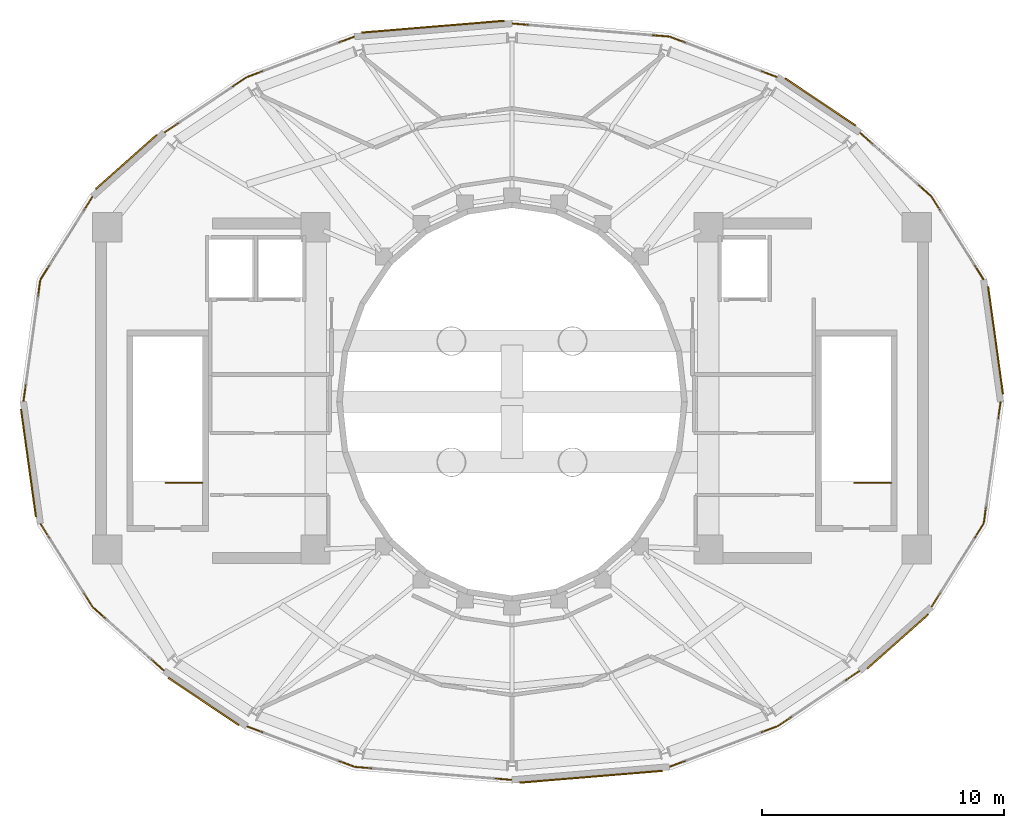
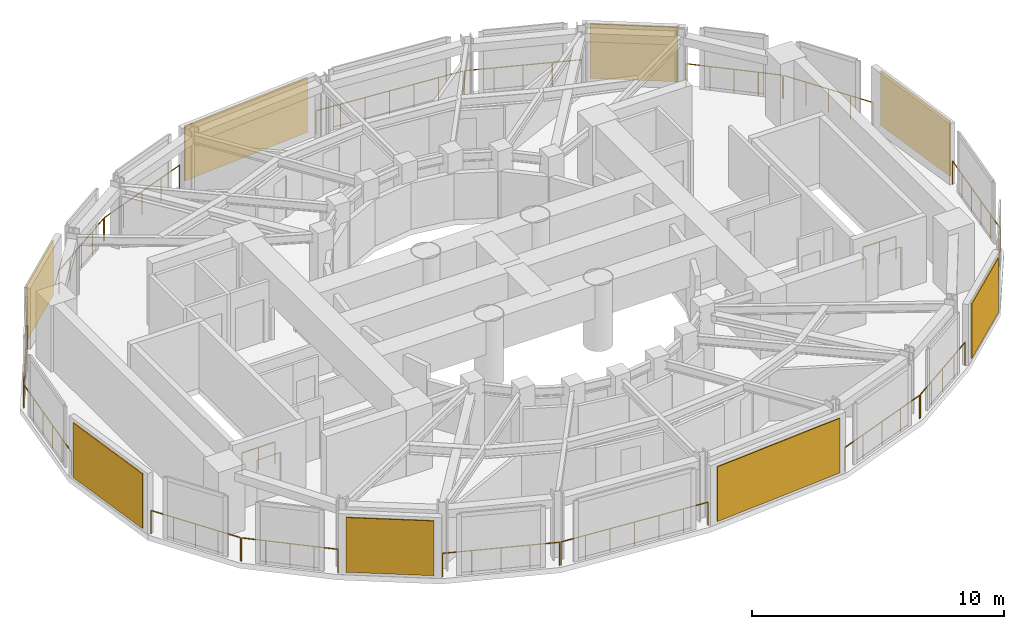
# One storey, part 17 of 17: 18 railings, 8 shading devices.
"""IFC4 building model written with IfcOpenShell, lengths in metres."""

import ifcopenshell
import ifcopenshell.guid

model = None  # the IFC model being written
_history = None  # IfcOwnerHistory: only IFC2X3 demands one
_inside = {}  # id of a spatial element -> (the spatial element, [elements in it])
_under = {}  # id of a project, library or spatial element -> (it, [spatial elements below it])
_declared = {}  # id of a project -> (the project, [libraries it declares])
_typed = {}  # id of a type object -> (the type object, [elements of that type])
_made_of = {}  # id of a material, layer set ... -> (it, [elements and type objects made of it])


def new_model(schema):
    """Start an empty IFC model of exactly this schema.

    Asked for "IFC4X3", IfcOpenShell would pick the latest addendum, in which some entities
    have other attributes; the version numbers below select the first issue.
    IFC2X3 requires an IfcOwnerHistory on every rooted entity: one is made here for all.
    """
    global model, _history
    if schema == "IFC4X3":
        model = ifcopenshell.file(schema_version=(4, 3, 0, 0))
    else:
        model = ifcopenshell.file(schema=schema)
    _inside.clear()
    _under.clear()
    _declared.clear()
    _typed.clear()
    _made_of.clear()
    _history = None
    if model.schema == "IFC2X3":
        org = make("IfcOrganization", Name="unknown")
        user = make(
            "IfcPersonAndOrganization",
            ThePerson=make("IfcPerson", FamilyName="unknown"),
            TheOrganization=org,
        )
        app = make(
            "IfcApplication",
            ApplicationDeveloper=org,
            Version="unknown",
            ApplicationFullName="unknown",
            ApplicationIdentifier="unknown",
        )
        _history = make(
            "IfcOwnerHistory",
            OwningUser=user,
            OwningApplication=app,
            ChangeAction="ADDED",
            CreationDate=0,
        )
    return model


def make(cls, **values):
    """One entity of the class cls with the attributes given. An attribute that is None is left unset."""
    return model.create_entity(
        cls, **{name: value for name, value in values.items() if value is not None}
    )


def rooted(cls, **values):
    """An entity with a GlobalId (a new one), such as an element, a storey or a relation."""
    return make(cls, GlobalId=ifcopenshell.guid.new(), OwnerHistory=_history, **values)


def si_unit(unit_type, name, prefix=None):
    """IfcSIUnit, for example si_unit("LENGTHUNIT", "METRE", prefix="MILLI")."""
    return make("IfcSIUnit", UnitType=unit_type, Prefix=prefix, Name=name)


def assignment(units):
    """IfcUnitAssignment: the units of a project."""
    return None if units is None else make("IfcUnitAssignment", Units=units)


def point(xyz):
    """IfcCartesianPoint."""
    return None if xyz is None else make("IfcCartesianPoint", Coordinates=xyz)


def direction(xyz):
    """IfcDirection."""
    return None if xyz is None else make("IfcDirection", DirectionRatios=xyz)


def frame(location, z_axis=None, x_axis=None):
    """IfcAxis2Placement3D, a coordinate frame: its origin and axes. An axis left out is left unset."""
    return make(
        "IfcAxis2Placement3D",
        Location=point(location),
        Axis=direction(z_axis),
        RefDirection=direction(x_axis),
    )


def frame_2d(location, x_axis=None):
    """IfcAxis2Placement2D, a coordinate frame in the plane: its origin and x axis."""
    return make(
        "IfcAxis2Placement2D", Location=point(location), RefDirection=direction(x_axis)
    )


def origin():
    """The frame at (0, 0, 0) with its axes left unset."""
    return frame((0.0, 0.0, 0.0))


def origin_2d():
    """The frame at (0, 0) in the plane with its x axis left unset."""
    return frame_2d((0.0, 0.0))


def place(relative_to, where):
    """IfcLocalPlacement: puts the frame where relative to a parent placement (None: the world)."""
    return make(
        "IfcLocalPlacement", PlacementRelTo=relative_to, RelativePlacement=where
    )


def context(
    kind, dimensions, precision=None, world=None, true_north=None, identifier=None
):
    """IfcGeometricRepresentationContext, for example the 3D "Model" context."""
    return make(
        "IfcGeometricRepresentationContext",
        ContextIdentifier=identifier,
        ContextType=kind,
        CoordinateSpaceDimension=dimensions,
        Precision=precision,
        WorldCoordinateSystem=world,
        TrueNorth=true_north,
    )


def subcontext(parent, identifier, kind, view, scale=None):
    """IfcGeometricRepresentationSubContext, for example "Body" below "Model"."""
    return make(
        "IfcGeometricRepresentationSubContext",
        ContextIdentifier=identifier,
        ContextType=kind,
        ParentContext=parent,
        TargetScale=scale,
        TargetView=view,
    )


def project(units=None, contexts=None):
    """IfcProject with its units and contexts."""
    return rooted(
        "IfcProject",
        Name="project",
        RepresentationContexts=contexts,
        UnitsInContext=assignment(units),
    )


def spatial(cls, under=None, at=None, **own):
    """A site, building, storey or space (cls), placed at a placement, below another one or the project."""
    s = rooted(cls, ObjectPlacement=at, **own)
    if under is not None:
        _under.setdefault(under.id(), (under, []))[1].append(s)
    return s


def profile(cls, at=None, kind="AREA", **sizes):
    """A parametric profile (cls). Its sizes go by their IFC names, for example OverallWidth=200.0."""
    return make(cls, ProfileType=kind, Position=at, **sizes)


def rectangle(**sizes):
    """IfcRectangleProfileDef."""
    return profile("IfcRectangleProfileDef", **sizes)


def circle(**sizes):
    """IfcCircleProfileDef."""
    return profile("IfcCircleProfileDef", **sizes)


def extrude(swept, where, along, depth):
    """IfcExtrudedAreaSolid: the profile swept, set in the frame where, extruded along a direction by depth."""
    return make(
        "IfcExtrudedAreaSolid",
        SweptArea=swept,
        Position=where,
        ExtrudedDirection=direction(along),
        Depth=depth,
    )


def shape(context_of_items, identifier, shape_type, items):
    """IfcShapeRepresentation: the items that make up one representation, for example the "Body"."""
    return make(
        "IfcShapeRepresentation",
        ContextOfItems=context_of_items,
        RepresentationIdentifier=identifier,
        RepresentationType=shape_type,
        Items=items,
    )


def material(Name=None, Category=None):
    """IfcMaterial."""
    return make("IfcMaterial", Name=Name, Category=Category)


def layer(
    of_material, thickness, ventilated=None, Name=None, Category=None, Priority=None
):
    """IfcMaterialLayer: one layer of a wall or slab, of a material (None: an air gap)."""
    return make(
        "IfcMaterialLayer",
        Material=of_material,
        LayerThickness=thickness,
        IsVentilated=ventilated,
        Name=Name,
        Category=Category,
        Priority=Priority,
    )


def layer_set(layers, Name=None):
    """IfcMaterialLayerSet."""
    return make("IfcMaterialLayerSet", MaterialLayers=layers, LayerSetName=Name)


def made_of(thing, what):
    """Note that an element or type object is made of a material, layer set ...; save() writes the relation."""
    if what is not None:
        _made_of.setdefault(what.id(), (what, []))[1].append(thing)
    return thing


def type_object(cls, material=None, **own):
    """A type object (cls), such as IfcWallType, which elements share."""
    return made_of(rooted(cls, **own), material)


def element(
    cls,
    number,
    at=None,
    inside=None,
    cuts=None,
    type_object=None,
    material=None,
    context=None,
    identifier="Body",
    shape_type=None,
    held_by="IfcProductDefinitionShape",
    body=None,
    shapes=None,
    **own,
):
    """One element of the class cls, such as IfcWall. Its Tag is "e" and its number.

    at: its placement. inside: the storey or other place that contains it. cuts: it is an
    opening in that element (IfcRelVoidsElement). A single representation is given by context,
    identifier, shape_type and body (its items); several are given by shapes. held_by: the class
    of the entity that holds the representations. save() writes the other relations.
    """
    e = rooted(cls, Tag="e%d" % number, ObjectPlacement=at, **own)
    if body is not None:
        shapes = [shape(context, identifier, shape_type, body)]
    if shapes is not None:
        e.Representation = make(held_by, Representations=shapes)
    if inside is not None:
        _inside.setdefault(inside.id(), (inside, []))[1].append(e)
    if cuts is not None:
        rooted(
            "IfcRelVoidsElement", RelatingBuildingElement=cuts, RelatedOpeningElement=e
        )
    if type_object is not None:
        _typed.setdefault(type_object.id(), (type_object, []))[1].append(e)
    return made_of(e, material)


def aggregate(whole, parts):
    """IfcRelAggregates: a whole, such as a stair, and the parts it consists of."""
    return rooted("IfcRelAggregates", RelatingObject=whole, RelatedObjects=parts)


def save(model, path):
    """Write the relations noted so far, then the file.

    IfcRelAggregates (storeys below a building ...), IfcRelContainedInSpatialStructure (elements
    in a storey), IfcRelDefinesByType, IfcRelAssociatesMaterial and IfcRelDeclares: one each for
    every whole, place, type object, material and project.
    """
    for whole, parts in _under.values():
        aggregate(whole, parts)
    for where, things in _inside.values():
        rooted(
            "IfcRelContainedInSpatialStructure",
            RelatedElements=things,
            RelatingStructure=where,
        )
    for kind, things in _typed.values():
        rooted("IfcRelDefinesByType", RelatedObjects=things, RelatingType=kind)
    for what, things in _made_of.values():
        rooted("IfcRelAssociatesMaterial", RelatedObjects=things, RelatingMaterial=what)
    for by, libraries in _declared.values():
        rooted("IfcRelDeclares", RelatingContext=by, RelatedDefinitions=libraries)
    model.write(path)


model = new_model("IFC4")

# Units and contexts
model_context = context("Model", 3, precision=1e-05, world=origin(), true_north=direction((0.0, 1.0)))
body_context = subcontext(model_context, "Body", "Model", "MODEL_VIEW")
ifc_project = project(units=[si_unit("LENGTHUNIT", "METRE"), si_unit("AREAUNIT", "SQUARE_METRE"), si_unit("VOLUMEUNIT", "CUBIC_METRE"), si_unit("PLANEANGLEUNIT", "RADIAN"), si_unit("MASSUNIT", "GRAM", prefix="KILO")], contexts=[model_context])

# Site, building, storey
site_placement = place(None, origin())
site = spatial("IfcSite", under=ifc_project, at=site_placement, CompositionType="ELEMENT")
building_placement = place(site_placement, origin())
building = spatial("IfcBuilding", under=site, at=building_placement, Name="Solvane Sanctuary Tower", CompositionType="ELEMENT")
storey_placement = place(building_placement, frame((0.0, 0.0, 276.39990234375)))
storey = spatial("IfcBuildingStorey", under=building, at=storey_placement, Name="L84", CompositionType="ELEMENT", Elevation=276.39990234375)

# Railings
ifc_material_1 = material(Name="Architectural Stainless Steel 316", Category="steel")
railing_type = type_object("IfcRailingType", Name="Railing GR-BALC-1150", PredefinedType="BALUSTRADE", material=ifc_material_1)
railing_1_placement = place(storey_placement, frame((51.447509765625, 28.052978515625, 0.0)))
element("IfcRailing", 1, at=railing_1_placement, inside=storey, type_object=railing_type, Name="L84 Crown Curtain-Wall Sill Guard 01", PredefinedType="BALUSTRADE", context=body_context, shape_type="SweptSolid", body=[
    extrude(circle(Radius=0.02392578125, at=origin_2d()), frame((0.0, 0.0, 1.1259765625), z_axis=(-0.531361656168, 0.847145082235, 0.0), x_axis=(-0.847145082235, -0.531361656168, 0.0)), (0.0, 0.0, 1.0), 4.0078125),
    extrude(circle(Radius=0.02099609375, at=origin_2d()), origin(), (0.0, 0.0, 1.0), 1.101806640625),
    extrude(circle(Radius=0.02099609375, at=origin_2d()), frame((-0.532470703125, 0.848876953125, 0.0)), (0.0, 0.0, 1.0), 1.101806640625),
    extrude(circle(Radius=0.02099609375, at=origin_2d()), frame((-1.06494140625, 1.69775390625, 0.0)), (0.0, 0.0, 1.0), 1.101806640625),
    extrude(circle(Radius=0.02099609375, at=origin_2d()), frame((-1.59716796875, 2.54638671875, 0.0)), (0.0, 0.0, 1.0), 1.101806640625),
    extrude(circle(Radius=0.02099609375, at=origin_2d()), frame((-2.129638671875, 3.395263671875, 0.0)), (0.0, 0.0, 1.0), 1.101806640625),
])
railing_2_placement = place(storey_placement, frame((49.279541015625, 31.49365234375, 0.0)))
element("IfcRailing", 2, at=railing_2_placement, inside=storey, type_object=railing_type, Name="L84 Crown Curtain-Wall Sill Guard 02", PredefinedType="BALUSTRADE", context=body_context, shape_type="SweptSolid", body=[
    extrude(circle(Radius=0.02392578125, at=origin_2d()), frame((0.0, 0.0, 1.1259765625), z_axis=(-0.746596474276, 0.665277163744, 0.0), x_axis=(-0.665277163744, -0.746596474276, 0.0)), (0.0, 0.0, 1.0), 3.89697265625),
    extrude(circle(Radius=0.02099609375, at=origin_2d()), origin(), (0.0, 0.0, 1.0), 1.101806640625),
    extrude(circle(Radius=0.02099609375, at=origin_2d()), frame((-0.727294921875, 0.648193359375, 0.0)), (0.0, 0.0, 1.0), 1.101806640625),
    extrude(circle(Radius=0.02099609375, at=origin_2d()), frame((-1.45458984375, 1.29638671875, 0.0)), (0.0, 0.0, 1.0), 1.101806640625),
    extrude(circle(Radius=0.02099609375, at=origin_2d()), frame((-2.18212890625, 1.9443359375, 0.0)), (0.0, 0.0, 1.0), 1.101806640625),
    extrude(circle(Radius=0.02099609375, at=origin_2d()), frame((-2.909423828125, 2.592529296875, 0.0)), (0.0, 0.0, 1.0), 1.101806640625),
])
railing_3_placement = place(storey_placement, frame((42.9189453125, 36.4033203125, 0.0)))
element("IfcRailing", 3, at=railing_3_placement, inside=storey, type_object=railing_type, Name="L84 Crown Curtain-Wall Sill Guard 04", PredefinedType="BALUSTRADE", context=body_context, shape_type="SweptSolid", body=[
    extrude(circle(Radius=0.02392578125, at=origin_2d()), frame((0.0, 0.0, 1.1259765625), z_axis=(-0.93608108748, 0.351784305593, 0.0), x_axis=(-0.351784305593, -0.93608108748, 0.0)), (0.0, 0.0, 1.0), 4.695556640625),
    extrude(circle(Radius=0.02099609375, at=origin_2d()), origin(), (0.0, 0.0, 1.0), 1.101806640625),
    extrude(circle(Radius=0.02099609375, at=origin_2d()), frame((-1.098876953125, 0.4130859375, 0.0)), (0.0, 0.0, 1.0), 1.101806640625),
    extrude(circle(Radius=0.02099609375, at=origin_2d()), frame((-2.19775390625, 0.825927734375, 0.0)), (0.0, 0.0, 1.0), 1.101806640625),
    extrude(circle(Radius=0.02099609375, at=origin_2d()), frame((-3.296630859375, 1.23876953125, 0.0)), (0.0, 0.0, 1.0), 1.101806640625),
    extrude(circle(Radius=0.02099609375, at=origin_2d()), frame((-4.3955078125, 1.65185546875, 0.0)), (0.0, 0.0, 1.0), 1.101806640625),
])
railing_4_placement = place(storey_placement, frame((38.46533203125, 38.068359375, 0.0)))
element("IfcRailing", 4, at=railing_4_placement, inside=storey, type_object=railing_type, Name="L84 Crown Curtain-Wall Sill Guard 05", PredefinedType="BALUSTRADE", context=body_context, shape_type="SweptSolid", body=[
    extrude(circle(Radius=0.02392578125, at=origin_2d()), frame((0.0, 0.0, 1.1259765625), z_axis=(-0.996572821329, 0.082720080921, 0.0), x_axis=(-0.082720080921, -0.996572821329, 0.0)), (0.0, 0.0, 1.0), 6.457763671875),
    extrude(circle(Radius=0.02099609375, at=origin_2d()), origin(), (0.0, 0.0, 1.0), 1.101806640625),
    extrude(circle(Radius=0.02099609375, at=origin_2d()), frame((-1.072509765625, 0.089111328125, 0.0)), (0.0, 0.0, 1.0), 1.101806640625),
    extrude(circle(Radius=0.02099609375, at=origin_2d()), frame((-2.145263671875, 0.177978515625, 0.0)), (0.0, 0.0, 1.0), 1.101806640625),
    extrude(circle(Radius=0.02099609375, at=origin_2d()), frame((-3.2177734375, 0.26708984375, 0.0)), (0.0, 0.0, 1.0), 1.101806640625),
    extrude(circle(Radius=0.02099609375, at=origin_2d()), frame((-4.290283203125, 0.356201171875, 0.0)), (0.0, 0.0, 1.0), 1.101806640625),
    extrude(circle(Radius=0.02099609375, at=origin_2d()), frame((-5.363037109375, 0.445068359375, 0.0)), (0.0, 0.0, 1.0), 1.101806640625),
    extrude(circle(Radius=0.02099609375, at=origin_2d()), frame((-6.435546875, 0.5341796875, 0.0)), (0.0, 0.0, 1.0), 1.101806640625),
])
railing_5_placement = place(storey_placement, frame((25.4765625, 38.05517578125, 0.0)))
element("IfcRailing", 5, at=railing_5_placement, inside=storey, type_object=railing_type, Name="L84 Crown Curtain-Wall Sill Guard 07", PredefinedType="BALUSTRADE", context=body_context, shape_type="SweptSolid", body=[
    extrude(circle(Radius=0.02392578125, at=origin_2d()), frame((0.0, 0.0, 1.1259765625), z_axis=(-0.93608108748, -0.351784305593, 0.0), x_axis=(0.351784305593, -0.93608108748, 0.0)), (0.0, 0.0, 1.0), 4.695556640625),
    extrude(circle(Radius=0.02099609375, at=origin_2d()), origin(), (0.0, 0.0, 1.0), 1.101806640625),
    extrude(circle(Radius=0.02099609375, at=origin_2d()), frame((-1.098876953125, -0.4130859375, 0.0)), (0.0, 0.0, 1.0), 1.101806640625),
    extrude(circle(Radius=0.02099609375, at=origin_2d()), frame((-2.19775390625, -0.825927734375, 0.0)), (0.0, 0.0, 1.0), 1.101806640625),
    extrude(circle(Radius=0.02099609375, at=origin_2d()), frame((-3.296630859375, -1.23876953125, 0.0)), (0.0, 0.0, 1.0), 1.101806640625),
    extrude(circle(Radius=0.02099609375, at=origin_2d()), frame((-4.3955078125, -1.65185546875, 0.0)), (0.0, 0.0, 1.0), 1.101806640625),
])
railing_6_placement = place(storey_placement, frame((21.028076171875, 36.3759765625, 0.0)))
element("IfcRailing", 6, at=railing_6_placement, inside=storey, type_object=railing_type, Name="L84 Crown Curtain-Wall Sill Guard 08", PredefinedType="BALUSTRADE", context=body_context, shape_type="SweptSolid", body=[
    extrude(circle(Radius=0.02392578125, at=origin_2d()), frame((0.0, 0.0, 1.1259765625), z_axis=(-0.829858014788, -0.55797461886, 0.0), x_axis=(0.55797461886, -0.829858014788, 0.0)), (0.0, 0.0, 1.0), 4.0380859375),
    extrude(circle(Radius=0.02099609375, at=origin_2d()), origin(), (0.0, 0.0, 1.0), 1.101806640625),
    extrude(circle(Radius=0.02099609375, at=origin_2d()), frame((-0.837890625, -0.563232421875, 0.0)), (0.0, 0.0, 1.0), 1.101806640625),
    extrude(circle(Radius=0.02099609375, at=origin_2d()), frame((-1.675537109375, -1.12646484375, 0.0)), (0.0, 0.0, 1.0), 1.101806640625),
    extrude(circle(Radius=0.02099609375, at=origin_2d()), frame((-2.51318359375, -1.68994140625, 0.0)), (0.0, 0.0, 1.0), 1.101806640625),
    extrude(circle(Radius=0.02099609375, at=origin_2d()), frame((-3.35107421875, -2.253173828125, 0.0)), (0.0, 0.0, 1.0), 1.101806640625),
])
railing_7_placement = place(storey_placement, frame((14.68212890625, 31.4482421875, 0.0)))
element("IfcRailing", 7, at=railing_7_placement, inside=storey, type_object=railing_type, Name="L84 Crown Curtain-Wall Sill Guard 10", PredefinedType="BALUSTRADE", context=body_context, shape_type="SweptSolid", body=[
    extrude(circle(Radius=0.02392578125, at=origin_2d()), frame((0.0, 0.0, 1.1259765625), z_axis=(-0.531361656168, -0.847145082235, 0.0), x_axis=(0.847145082235, -0.531361656168, 0.0)), (0.0, 0.0, 1.0), 4.0078125),
    extrude(circle(Radius=0.02099609375, at=origin_2d()), origin(), (0.0, 0.0, 1.0), 1.101806640625),
    extrude(circle(Radius=0.02099609375, at=origin_2d()), frame((-0.532470703125, -0.848876953125, 0.0)), (0.0, 0.0, 1.0), 1.101806640625),
    extrude(circle(Radius=0.02099609375, at=origin_2d()), frame((-1.06494140625, -1.69775390625, 0.0)), (0.0, 0.0, 1.0), 1.101806640625),
    extrude(circle(Radius=0.02099609375, at=origin_2d()), frame((-1.59716796875, -2.54638671875, 0.0)), (0.0, 0.0, 1.0), 1.101806640625),
    extrude(circle(Radius=0.02099609375, at=origin_2d()), frame((-2.129638671875, -3.395263671875, 0.0)), (0.0, 0.0, 1.0), 1.101806640625),
])
railing_8_placement = place(storey_placement, frame((12.532470703125, 27.998046875, 0.0)))
element("IfcRailing", 8, at=railing_8_placement, inside=storey, type_object=railing_type, Name="L84 Crown Curtain-Wall Sill Guard 11", PredefinedType="BALUSTRADE", context=body_context, shape_type="SweptSolid", body=[
    extrude(circle(Radius=0.02392578125, at=origin_2d()), frame((0.0, 0.0, 1.1259765625), z_axis=(-0.137263271388, -0.990534600268, 0.0), x_axis=(0.990534600268, -0.137263271388, 0.0)), (0.0, 0.0, 1.0), 5.015625),
    extrude(circle(Radius=0.02099609375, at=origin_2d()), origin(), (0.0, 0.0, 1.0), 1.101806640625),
    extrude(circle(Radius=0.02099609375, at=origin_2d()), frame((-0.1376953125, -0.99365234375, 0.0)), (0.0, 0.0, 1.0), 1.101806640625),
    extrude(circle(Radius=0.02099609375, at=origin_2d()), frame((-0.275390625, -1.9873046875, 0.0)), (0.0, 0.0, 1.0), 1.101806640625),
    extrude(circle(Radius=0.02099609375, at=origin_2d()), frame((-0.4130859375, -2.98095703125, 0.0)), (0.0, 0.0, 1.0), 1.101806640625),
    extrude(circle(Radius=0.02099609375, at=origin_2d()), frame((-0.55078125, -3.974609375, 0.0)), (0.0, 0.0, 1.0), 1.101806640625),
    extrude(circle(Radius=0.02099609375, at=origin_2d()), frame((-0.6884765625, -4.96826171875, 0.0)), (0.0, 0.0, 1.0), 1.101806640625),
])
railing_9_placement = place(storey_placement, frame((12.552490234375, 17.947021484375, 0.0)))
element("IfcRailing", 9, at=railing_9_placement, inside=storey, type_object=railing_type, Name="L84 Crown Curtain-Wall Sill Guard 13", PredefinedType="BALUSTRADE", context=body_context, shape_type="SweptSolid", body=[
    extrude(circle(Radius=0.02392578125, at=origin_2d()), frame((0.0, 0.0, 1.1259765625), z_axis=(0.531361656168, -0.847145082235, 0.0), x_axis=(0.847145082235, 0.531361656168, 0.0)), (0.0, 0.0, 1.0), 4.0078125),
    extrude(circle(Radius=0.02099609375, at=origin_2d()), origin(), (0.0, 0.0, 1.0), 1.101806640625),
    extrude(circle(Radius=0.02099609375, at=origin_2d()), frame((0.532470703125, -0.848876953125, 0.0)), (0.0, 0.0, 1.0), 1.101806640625),
    extrude(circle(Radius=0.02099609375, at=origin_2d()), frame((1.06494140625, -1.69775390625, 0.0)), (0.0, 0.0, 1.0), 1.101806640625),
    extrude(circle(Radius=0.02099609375, at=origin_2d()), frame((1.59716796875, -2.54638671875, 0.0)), (0.0, 0.0, 1.0), 1.101806640625),
    extrude(circle(Radius=0.02099609375, at=origin_2d()), frame((2.129638671875, -3.395263671875, 0.0)), (0.0, 0.0, 1.0), 1.101806640625),
])
railing_10_placement = place(storey_placement, frame((14.720458984375, 14.50634765625, 0.0)))
element("IfcRailing", 10, at=railing_10_placement, inside=storey, type_object=railing_type, Name="L84 Crown Curtain-Wall Sill Guard 14", PredefinedType="BALUSTRADE", context=body_context, shape_type="SweptSolid", body=[
    extrude(circle(Radius=0.02392578125, at=origin_2d()), frame((0.0, 0.0, 1.1259765625), z_axis=(0.746596474276, -0.665277163744, 0.0), x_axis=(0.665277163744, 0.746596474276, 0.0)), (0.0, 0.0, 1.0), 3.89697265625),
    extrude(circle(Radius=0.02099609375, at=origin_2d()), origin(), (0.0, 0.0, 1.0), 1.101806640625),
    extrude(circle(Radius=0.02099609375, at=origin_2d()), frame((0.727294921875, -0.648193359375, 0.0)), (0.0, 0.0, 1.0), 1.101806640625),
    extrude(circle(Radius=0.02099609375, at=origin_2d()), frame((1.45458984375, -1.29638671875, 0.0)), (0.0, 0.0, 1.0), 1.101806640625),
    extrude(circle(Radius=0.02099609375, at=origin_2d()), frame((2.18212890625, -1.9443359375, 0.0)), (0.0, 0.0, 1.0), 1.101806640625),
    extrude(circle(Radius=0.02099609375, at=origin_2d()), frame((2.909423828125, -2.592529296875, 0.0)), (0.0, 0.0, 1.0), 1.101806640625),
])
railing_11_placement = place(storey_placement, frame((21.0810546875, 9.5966796875, 0.0)))
element("IfcRailing", 11, at=railing_11_placement, inside=storey, type_object=railing_type, Name="L84 Crown Curtain-Wall Sill Guard 16", PredefinedType="BALUSTRADE", context=body_context, shape_type="SweptSolid", body=[
    extrude(circle(Radius=0.02392578125, at=origin_2d()), frame((0.0, 0.0, 1.1259765625), z_axis=(0.93608108748, -0.351784305593, 0.0), x_axis=(0.351784305593, 0.93608108748, 0.0)), (0.0, 0.0, 1.0), 4.695556640625),
    extrude(circle(Radius=0.02099609375, at=origin_2d()), origin(), (0.0, 0.0, 1.0), 1.101806640625),
    extrude(circle(Radius=0.02099609375, at=origin_2d()), frame((1.098876953125, -0.4130859375, 0.0)), (0.0, 0.0, 1.0), 1.101806640625),
    extrude(circle(Radius=0.02099609375, at=origin_2d()), frame((2.19775390625, -0.825927734375, 0.0)), (0.0, 0.0, 1.0), 1.101806640625),
    extrude(circle(Radius=0.02099609375, at=origin_2d()), frame((3.296630859375, -1.23876953125, 0.0)), (0.0, 0.0, 1.0), 1.101806640625),
    extrude(circle(Radius=0.02099609375, at=origin_2d()), frame((4.3955078125, -1.65185546875, 0.0)), (0.0, 0.0, 1.0), 1.101806640625),
])
railing_12_placement = place(storey_placement, frame((25.53466796875, 7.931640625, 0.0)))
element("IfcRailing", 12, at=railing_12_placement, inside=storey, type_object=railing_type, Name="L84 Crown Curtain-Wall Sill Guard 17", PredefinedType="BALUSTRADE", context=body_context, shape_type="SweptSolid", body=[
    extrude(circle(Radius=0.02392578125, at=origin_2d()), frame((0.0, 0.0, 1.1259765625), z_axis=(0.996572821329, -0.082720080921, 0.0), x_axis=(0.082720080921, 0.996572821329, 0.0)), (0.0, 0.0, 1.0), 6.457763671875),
    extrude(circle(Radius=0.02099609375, at=origin_2d()), origin(), (0.0, 0.0, 1.0), 1.101806640625),
    extrude(circle(Radius=0.02099609375, at=origin_2d()), frame((1.072509765625, -0.089111328125, 0.0)), (0.0, 0.0, 1.0), 1.101806640625),
    extrude(circle(Radius=0.02099609375, at=origin_2d()), frame((2.145263671875, -0.177978515625, 0.0)), (0.0, 0.0, 1.0), 1.101806640625),
    extrude(circle(Radius=0.02099609375, at=origin_2d()), frame((3.2177734375, -0.26708984375, 0.0)), (0.0, 0.0, 1.0), 1.101806640625),
    extrude(circle(Radius=0.02099609375, at=origin_2d()), frame((4.290283203125, -0.356201171875, 0.0)), (0.0, 0.0, 1.0), 1.101806640625),
    extrude(circle(Radius=0.02099609375, at=origin_2d()), frame((5.363037109375, -0.445068359375, 0.0)), (0.0, 0.0, 1.0), 1.101806640625),
    extrude(circle(Radius=0.02099609375, at=origin_2d()), frame((6.435546875, -0.5341796875, 0.0)), (0.0, 0.0, 1.0), 1.101806640625),
])
railing_13_placement = place(storey_placement, frame((38.5234375, 7.94482421875, 0.0)))
element("IfcRailing", 13, at=railing_13_placement, inside=storey, type_object=railing_type, Name="L84 Crown Curtain-Wall Sill Guard 19", PredefinedType="BALUSTRADE", context=body_context, shape_type="SweptSolid", body=[
    extrude(circle(Radius=0.02392578125, at=origin_2d()), frame((0.0, 0.0, 1.1259765625), z_axis=(0.93608108748, 0.351784305593, 0.0), x_axis=(-0.351784305593, 0.93608108748, 0.0)), (0.0, 0.0, 1.0), 4.695556640625),
    extrude(circle(Radius=0.02099609375, at=origin_2d()), origin(), (0.0, 0.0, 1.0), 1.101806640625),
    extrude(circle(Radius=0.02099609375, at=origin_2d()), frame((1.098876953125, 0.4130859375, 0.0)), (0.0, 0.0, 1.0), 1.101806640625),
    extrude(circle(Radius=0.02099609375, at=origin_2d()), frame((2.19775390625, 0.825927734375, 0.0)), (0.0, 0.0, 1.0), 1.101806640625),
    extrude(circle(Radius=0.02099609375, at=origin_2d()), frame((3.296630859375, 1.23876953125, 0.0)), (0.0, 0.0, 1.0), 1.101806640625),
    extrude(circle(Radius=0.02099609375, at=origin_2d()), frame((4.3955078125, 1.65185546875, 0.0)), (0.0, 0.0, 1.0), 1.101806640625),
])
railing_14_placement = place(storey_placement, frame((42.971923828125, 9.6240234375, 0.0)))
element("IfcRailing", 14, at=railing_14_placement, inside=storey, type_object=railing_type, Name="L84 Crown Curtain-Wall Sill Guard 20", PredefinedType="BALUSTRADE", context=body_context, shape_type="SweptSolid", body=[
    extrude(circle(Radius=0.02392578125, at=origin_2d()), frame((0.0, 0.0, 1.1259765625), z_axis=(0.829858014788, 0.55797461886, 0.0), x_axis=(-0.55797461886, 0.829858014788, 0.0)), (0.0, 0.0, 1.0), 4.0380859375),
    extrude(circle(Radius=0.02099609375, at=origin_2d()), origin(), (0.0, 0.0, 1.0), 1.101806640625),
    extrude(circle(Radius=0.02099609375, at=origin_2d()), frame((0.837890625, 0.563232421875, 0.0)), (0.0, 0.0, 1.0), 1.101806640625),
    extrude(circle(Radius=0.02099609375, at=origin_2d()), frame((1.675537109375, 1.12646484375, 0.0)), (0.0, 0.0, 1.0), 1.101806640625),
    extrude(circle(Radius=0.02099609375, at=origin_2d()), frame((2.51318359375, 1.68994140625, 0.0)), (0.0, 0.0, 1.0), 1.101806640625),
    extrude(circle(Radius=0.02099609375, at=origin_2d()), frame((3.35107421875, 2.253173828125, 0.0)), (0.0, 0.0, 1.0), 1.101806640625),
])
railing_15_placement = place(storey_placement, frame((49.31787109375, 14.5517578125, 0.0)))
element("IfcRailing", 15, at=railing_15_placement, inside=storey, type_object=railing_type, Name="L84 Crown Curtain-Wall Sill Guard 22", PredefinedType="BALUSTRADE", context=body_context, shape_type="SweptSolid", body=[
    extrude(circle(Radius=0.02392578125, at=origin_2d()), frame((0.0, 0.0, 1.1259765625), z_axis=(0.531361656168, 0.847145082235, 0.0), x_axis=(-0.847145082235, 0.531361656168, 0.0)), (0.0, 0.0, 1.0), 4.0078125),
    extrude(circle(Radius=0.02099609375, at=origin_2d()), origin(), (0.0, 0.0, 1.0), 1.101806640625),
    extrude(circle(Radius=0.02099609375, at=origin_2d()), frame((0.532470703125, 0.848876953125, 0.0)), (0.0, 0.0, 1.0), 1.101806640625),
    extrude(circle(Radius=0.02099609375, at=origin_2d()), frame((1.06494140625, 1.69775390625, 0.0)), (0.0, 0.0, 1.0), 1.101806640625),
    extrude(circle(Radius=0.02099609375, at=origin_2d()), frame((1.59716796875, 2.54638671875, 0.0)), (0.0, 0.0, 1.0), 1.101806640625),
    extrude(circle(Radius=0.02099609375, at=origin_2d()), frame((2.129638671875, 3.395263671875, 0.0)), (0.0, 0.0, 1.0), 1.101806640625),
])
railing_16_placement = place(storey_placement, frame((51.467529296875, 18.001953125, 0.0)))
element("IfcRailing", 16, at=railing_16_placement, inside=storey, type_object=railing_type, Name="L84 Crown Curtain-Wall Sill Guard 23", PredefinedType="BALUSTRADE", context=body_context, shape_type="SweptSolid", body=[
    extrude(circle(Radius=0.02392578125, at=origin_2d()), frame((0.0, 0.0, 1.1259765625), z_axis=(0.137263271388, 0.990534600268, 0.0), x_axis=(-0.990534600268, 0.137263271388, 0.0)), (0.0, 0.0, 1.0), 5.015625),
    extrude(circle(Radius=0.02099609375, at=origin_2d()), origin(), (0.0, 0.0, 1.0), 1.101806640625),
    extrude(circle(Radius=0.02099609375, at=origin_2d()), frame((0.1376953125, 0.99365234375, 0.0)), (0.0, 0.0, 1.0), 1.101806640625),
    extrude(circle(Radius=0.02099609375, at=origin_2d()), frame((0.275390625, 1.9873046875, 0.0)), (0.0, 0.0, 1.0), 1.101806640625),
    extrude(circle(Radius=0.02099609375, at=origin_2d()), frame((0.4130859375, 2.98095703125, 0.0)), (0.0, 0.0, 1.0), 1.101806640625),
    extrude(circle(Radius=0.02099609375, at=origin_2d()), frame((0.55078125, 3.974609375, 0.0)), (0.0, 0.0, 1.0), 1.101806640625),
    extrude(circle(Radius=0.02099609375, at=origin_2d()), frame((0.6884765625, 4.96826171875, 0.0)), (0.0, 0.0, 1.0), 1.101806640625),
])
for number, where, name in (
    (17, (19.219970703125, 19.64990234375, 0.0), "L84 ST-1 top well guard 1"),
    (18, (47.639892578125, 19.64990234375, 0.0), "L84 ST-2 top well guard 1"),
):
    element("IfcRailing", number, at=place(storey_placement, frame(where)), inside=storey, type_object=railing_type, Name=name, PredefinedType="BALUSTRADE", context=body_context, shape_type="SweptSolid", body=[
        extrude(circle(Radius=0.02392578125, at=origin_2d()), frame((0.0, 0.0, 1.076171875), z_axis=(-1.0, 0.0, 0.0), x_axis=(0.0, -1.0, 0.0)), (0.0, 0.0, 1.0), 1.510009765625),
        extrude(circle(Radius=0.02099609375, at=origin_2d()), origin(), (0.0, 0.0, 1.0), 1.052001953125),
        extrude(circle(Radius=0.02099609375, at=origin_2d()), frame((-0.7548828125, 0.0, 0.0)), (0.0, 0.0, 1.0), 1.052001953125),
        extrude(circle(Radius=0.02099609375, at=origin_2d()), frame((-1.510009765625, 0.0, 0.0)), (0.0, 0.0, 1.0), 1.052001953125),
    ])

# Shading devices
ifc_material_2 = material(Name="Anodised Aluminium 6063-T6", Category="aluminium")
ifc_layer = layer(ifc_material_2, 0.06005859375, Name="Anodised Aluminium 6063-T6")
ifc_layer_set = layer_set([ifc_layer], Name="Anodised Aluminium 6063-T6")
shading_device_type = type_object("IfcShadingDeviceType", Name="Shading SHD-LOUVRE", PredefinedType="JALOUSIE", material=ifc_layer_set)
shading_device_1_placement = place(storey_placement, frame((51.950439453125, 25.533203125, 0.150146484375), z_axis=(0.0, 0.0, 1.0), x_axis=(-0.137221531852, 0.990540383425, 0.0)))
element("IfcShadingDevice", 19, at=shading_device_1_placement, inside=storey, type_object=shading_device_type, Name="L84 Crown Storm Louvre Panel 00", PredefinedType="JALOUSIE", context=body_context, shape_type="SweptSolid", body=[
    extrude(rectangle(XDim=4.4755859375, YDim=0.06005859375, at=origin_2d()), origin(), (0.0, 0.0, 1.0), 2.64990234375),
])
shading_device_2_placement = place(storey_placement, frame((44.7255859375, 35.365478515625, 0.150146484375), z_axis=(0.0, 0.0, 1.0), x_axis=(-0.829870134617, 0.557956592999, 0.0)))
element("IfcShadingDevice", 20, at=shading_device_2_placement, inside=storey, type_object=shading_device_type, Name="L84 Crown Storm Louvre Panel 03", PredefinedType="JALOUSIE", context=body_context, shape_type="SweptSolid", body=[
    extrude(rectangle(XDim=3.498046875, YDim=0.06005859375, at=origin_2d()), origin(), (0.0, 0.0, 1.0), 2.64990234375),
])
shading_device_3_placement = place(storey_placement, frame((28.74072265625, 38.474853515625, 0.150146484375), z_axis=(0.0, 0.0, 1.0), x_axis=(-0.996572003166, -0.082729937185, 0.0)))
element("IfcShadingDevice", 21, at=shading_device_3_placement, inside=storey, type_object=shading_device_type, Name="L84 Crown Storm Louvre Panel 06", PredefinedType="JALOUSIE", context=body_context, shape_type="SweptSolid", body=[
    extrude(rectangle(XDim=5.91748046875, YDim=0.06005859375, at=origin_2d()), origin(), (0.0, 0.0, 1.0), 2.64990234375),
])
shading_device_4_placement = place(storey_placement, frame((16.08203125, 32.894287109375, 0.150146484375), z_axis=(0.0, 0.0, 1.0), x_axis=(-0.746576643653, -0.66529941767, 0.0)))
element("IfcShadingDevice", 22, at=shading_device_4_placement, inside=storey, type_object=shading_device_type, Name="L84 Crown Storm Louvre Panel 09", PredefinedType="JALOUSIE", context=body_context, shape_type="SweptSolid", body=[
    extrude(rectangle(XDim=3.35693359375, YDim=0.06005859375, at=origin_2d()), origin(), (0.0, 0.0, 1.0), 2.64990234375),
])
shading_device_5_placement = place(storey_placement, frame((12.049560546875, 20.466796875, 0.150146484375), z_axis=(0.0, 0.0, 1.0), x_axis=(0.137221531852, -0.990540383425, 0.0)))
element("IfcShadingDevice", 23, at=shading_device_5_placement, inside=storey, type_object=shading_device_type, Name="L84 Crown Storm Louvre Panel 12", PredefinedType="JALOUSIE", context=body_context, shape_type="SweptSolid", body=[
    extrude(rectangle(XDim=4.4755859375, YDim=0.06005859375, at=origin_2d()), origin(), (0.0, 0.0, 1.0), 2.64990234375),
])
shading_device_6_placement = place(storey_placement, frame((19.2744140625, 10.634521484375, 0.150146484375), z_axis=(0.0, 0.0, 1.0), x_axis=(0.829870134617, -0.557956592999, 0.0)))
element("IfcShadingDevice", 24, at=shading_device_6_placement, inside=storey, type_object=shading_device_type, Name="L84 Crown Storm Louvre Panel 15", PredefinedType="JALOUSIE", context=body_context, shape_type="SweptSolid", body=[
    extrude(rectangle(XDim=3.498046875, YDim=0.06005859375, at=origin_2d()), origin(), (0.0, 0.0, 1.0), 2.64990234375),
])
shading_device_7_placement = place(storey_placement, frame((35.25927734375, 7.525146484375, 0.150146484375), z_axis=(0.0, 0.0, 1.0), x_axis=(0.996572003166, 0.082729937185, 0.0)))
element("IfcShadingDevice", 25, at=shading_device_7_placement, inside=storey, type_object=shading_device_type, Name="L84 Crown Storm Louvre Panel 18", PredefinedType="JALOUSIE", context=body_context, shape_type="SweptSolid", body=[
    extrude(rectangle(XDim=5.91748046875, YDim=0.06005859375, at=origin_2d()), origin(), (0.0, 0.0, 1.0), 2.64990234375),
])
shading_device_8_placement = place(storey_placement, frame((47.91796875, 13.105712890625, 0.150146484375), z_axis=(0.0, 0.0, 1.0), x_axis=(0.746576643653, 0.66529941767, 0.0)))
element("IfcShadingDevice", 26, at=shading_device_8_placement, inside=storey, type_object=shading_device_type, Name="L84 Crown Storm Louvre Panel 21", PredefinedType="JALOUSIE", context=body_context, shape_type="SweptSolid", body=[
    extrude(rectangle(XDim=3.35693359375, YDim=0.06005859375, at=origin_2d()), origin(), (0.0, 0.0, 1.0), 2.64990234375),
])

save(model, "model.ifc")
